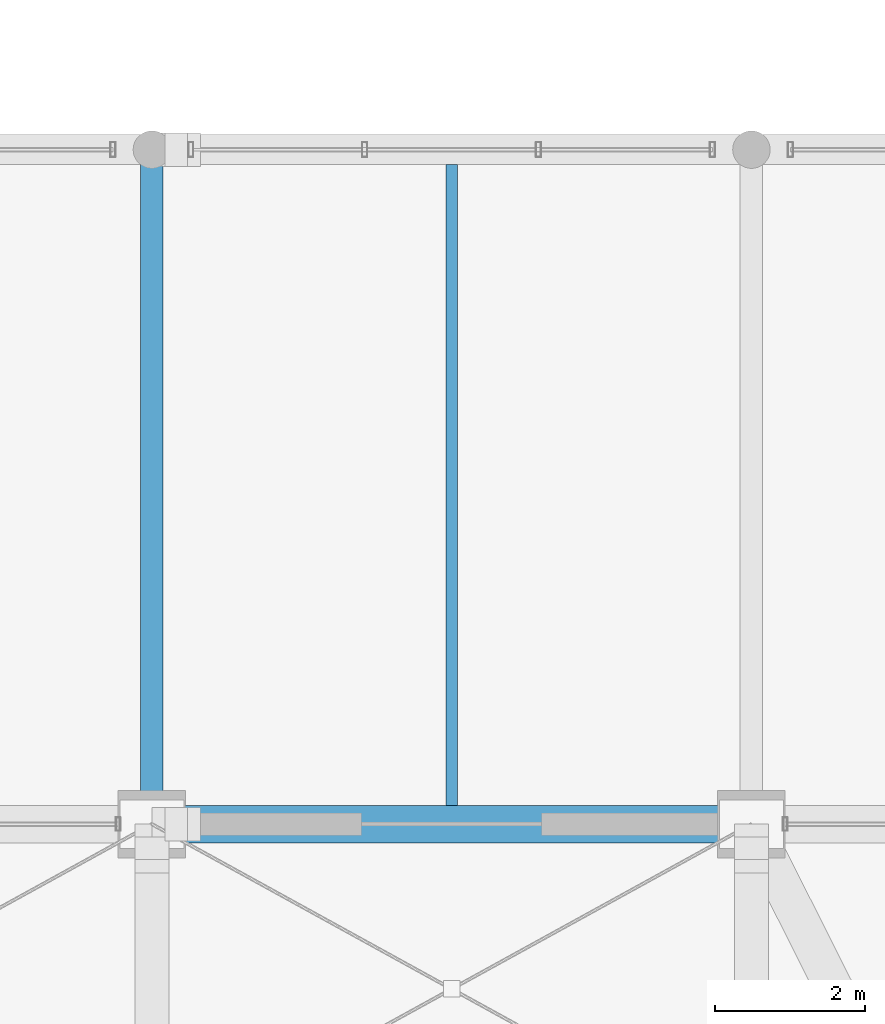
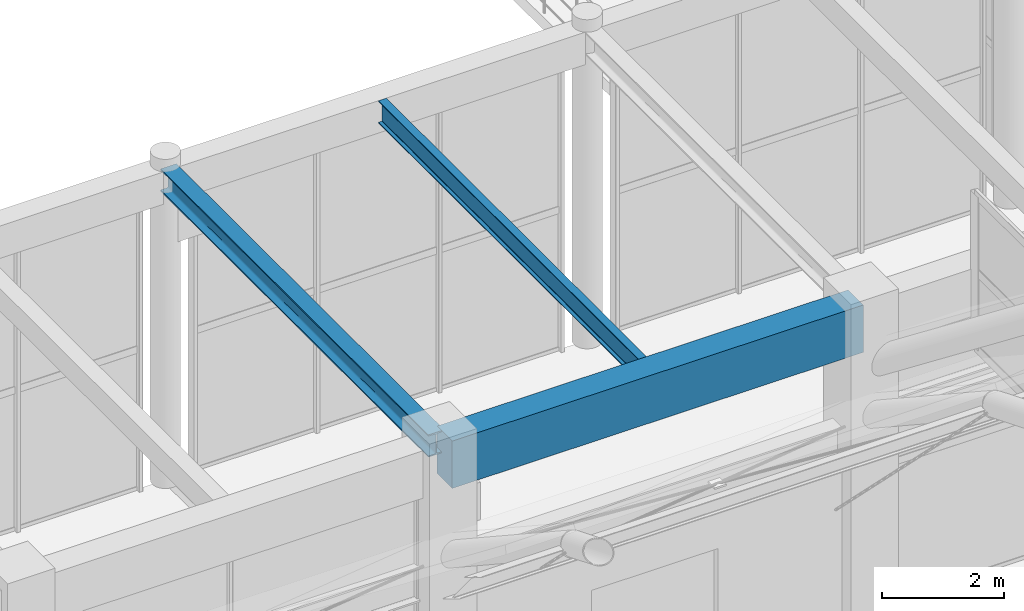
# One storey, part 68 of 163: 3 beams.
"""IFC4 building model written with IfcOpenShell, lengths in metres."""

import ifcopenshell
import ifcopenshell.guid

model = None  # the IFC model being written
_history = None  # IfcOwnerHistory: only IFC2X3 demands one
_inside = {}  # id of a spatial element -> (the spatial element, [elements in it])
_under = {}  # id of a project, library or spatial element -> (it, [spatial elements below it])
_declared = {}  # id of a project -> (the project, [libraries it declares])
_typed = {}  # id of a type object -> (the type object, [elements of that type])
_made_of = {}  # id of a material, layer set ... -> (it, [elements and type objects made of it])


def new_model(schema):
    """Start an empty IFC model of exactly this schema.

    Asked for "IFC4X3", IfcOpenShell would pick the latest addendum, in which some entities
    have other attributes; the version numbers below select the first issue.
    IFC2X3 requires an IfcOwnerHistory on every rooted entity: one is made here for all.
    """
    global model, _history
    if schema == "IFC4X3":
        model = ifcopenshell.file(schema_version=(4, 3, 0, 0))
    else:
        model = ifcopenshell.file(schema=schema)
    _inside.clear()
    _under.clear()
    _declared.clear()
    _typed.clear()
    _made_of.clear()
    _history = None
    if model.schema == "IFC2X3":
        org = make("IfcOrganization", Name="unknown")
        user = make(
            "IfcPersonAndOrganization",
            ThePerson=make("IfcPerson", FamilyName="unknown"),
            TheOrganization=org,
        )
        app = make(
            "IfcApplication",
            ApplicationDeveloper=org,
            Version="unknown",
            ApplicationFullName="unknown",
            ApplicationIdentifier="unknown",
        )
        _history = make(
            "IfcOwnerHistory",
            OwningUser=user,
            OwningApplication=app,
            ChangeAction="ADDED",
            CreationDate=0,
        )
    return model


def make(cls, **values):
    """One entity of the class cls with the attributes given. An attribute that is None is left unset."""
    return model.create_entity(
        cls, **{name: value for name, value in values.items() if value is not None}
    )


def rooted(cls, **values):
    """An entity with a GlobalId (a new one), such as an element, a storey or a relation."""
    return make(cls, GlobalId=ifcopenshell.guid.new(), OwnerHistory=_history, **values)


def si_unit(unit_type, name, prefix=None):
    """IfcSIUnit, for example si_unit("LENGTHUNIT", "METRE", prefix="MILLI")."""
    return make("IfcSIUnit", UnitType=unit_type, Prefix=prefix, Name=name)


def assignment(units):
    """IfcUnitAssignment: the units of a project."""
    return None if units is None else make("IfcUnitAssignment", Units=units)


def point(xyz):
    """IfcCartesianPoint."""
    return None if xyz is None else make("IfcCartesianPoint", Coordinates=xyz)


def direction(xyz):
    """IfcDirection."""
    return None if xyz is None else make("IfcDirection", DirectionRatios=xyz)


def frame(location, z_axis=None, x_axis=None):
    """IfcAxis2Placement3D, a coordinate frame: its origin and axes. An axis left out is left unset."""
    return make(
        "IfcAxis2Placement3D",
        Location=point(location),
        Axis=direction(z_axis),
        RefDirection=direction(x_axis),
    )


def frame_2d(location, x_axis=None):
    """IfcAxis2Placement2D, a coordinate frame in the plane: its origin and x axis."""
    return make(
        "IfcAxis2Placement2D", Location=point(location), RefDirection=direction(x_axis)
    )


def origin():
    """The frame at (0, 0, 0) with its axes left unset."""
    return frame((0.0, 0.0, 0.0))


def origin_2d():
    """The frame at (0, 0) in the plane with its x axis left unset."""
    return frame_2d((0.0, 0.0))


def place(relative_to, where):
    """IfcLocalPlacement: puts the frame where relative to a parent placement (None: the world)."""
    return make(
        "IfcLocalPlacement", PlacementRelTo=relative_to, RelativePlacement=where
    )


def context(
    kind, dimensions, precision=None, world=None, true_north=None, identifier=None
):
    """IfcGeometricRepresentationContext, for example the 3D "Model" context."""
    return make(
        "IfcGeometricRepresentationContext",
        ContextIdentifier=identifier,
        ContextType=kind,
        CoordinateSpaceDimension=dimensions,
        Precision=precision,
        WorldCoordinateSystem=world,
        TrueNorth=true_north,
    )


def subcontext(parent, identifier, kind, view, scale=None):
    """IfcGeometricRepresentationSubContext, for example "Body" below "Model"."""
    return make(
        "IfcGeometricRepresentationSubContext",
        ContextIdentifier=identifier,
        ContextType=kind,
        ParentContext=parent,
        TargetScale=scale,
        TargetView=view,
    )


def project(units=None, contexts=None):
    """IfcProject with its units and contexts."""
    return rooted(
        "IfcProject",
        Name="project",
        RepresentationContexts=contexts,
        UnitsInContext=assignment(units),
    )


def spatial(cls, under=None, at=None, **own):
    """A site, building, storey or space (cls), placed at a placement, below another one or the project."""
    s = rooted(cls, ObjectPlacement=at, **own)
    if under is not None:
        _under.setdefault(under.id(), (under, []))[1].append(s)
    return s


def profile(cls, at=None, kind="AREA", **sizes):
    """A parametric profile (cls). Its sizes go by their IFC names, for example OverallWidth=200.0."""
    return make(cls, ProfileType=kind, Position=at, **sizes)


def rectangle(**sizes):
    """IfcRectangleProfileDef."""
    return profile("IfcRectangleProfileDef", **sizes)


def i_section(**sizes):
    """IfcIShapeProfileDef."""
    return profile("IfcIShapeProfileDef", **sizes)


def extrude(swept, where, along, depth):
    """IfcExtrudedAreaSolid: the profile swept, set in the frame where, extruded along a direction by depth."""
    return make(
        "IfcExtrudedAreaSolid",
        SweptArea=swept,
        Position=where,
        ExtrudedDirection=direction(along),
        Depth=depth,
    )


def shape(context_of_items, identifier, shape_type, items):
    """IfcShapeRepresentation: the items that make up one representation, for example the "Body"."""
    return make(
        "IfcShapeRepresentation",
        ContextOfItems=context_of_items,
        RepresentationIdentifier=identifier,
        RepresentationType=shape_type,
        Items=items,
    )


def material(Name=None, Category=None):
    """IfcMaterial."""
    return make("IfcMaterial", Name=Name, Category=Category)


def material_profile(
    of_material, cross_section, Name=None, Category=None, Priority=None
):
    """IfcMaterialProfile: a cross section and its material."""
    return make(
        "IfcMaterialProfile",
        Name=Name,
        Material=of_material,
        Profile=cross_section,
        Priority=Priority,
        Category=Category,
    )


def profile_set(profiles, Name=None, composite=None):
    """IfcMaterialProfileSet."""
    return make(
        "IfcMaterialProfileSet",
        Name=Name,
        MaterialProfiles=profiles,
        CompositeProfile=composite,
    )


def made_of(thing, what):
    """Note that an element or type object is made of a material, layer set ...; save() writes the relation."""
    if what is not None:
        _made_of.setdefault(what.id(), (what, []))[1].append(thing)
    return thing


def type_object(cls, material=None, **own):
    """A type object (cls), such as IfcWallType, which elements share."""
    return made_of(rooted(cls, **own), material)


def element(
    cls,
    number,
    at=None,
    inside=None,
    cuts=None,
    type_object=None,
    material=None,
    context=None,
    identifier="Body",
    shape_type=None,
    held_by="IfcProductDefinitionShape",
    body=None,
    shapes=None,
    **own,
):
    """One element of the class cls, such as IfcWall. Its Tag is "e" and its number.

    at: its placement. inside: the storey or other place that contains it. cuts: it is an
    opening in that element (IfcRelVoidsElement). A single representation is given by context,
    identifier, shape_type and body (its items); several are given by shapes. held_by: the class
    of the entity that holds the representations. save() writes the other relations.
    """
    e = rooted(cls, Tag="e%d" % number, ObjectPlacement=at, **own)
    if body is not None:
        shapes = [shape(context, identifier, shape_type, body)]
    if shapes is not None:
        e.Representation = make(held_by, Representations=shapes)
    if inside is not None:
        _inside.setdefault(inside.id(), (inside, []))[1].append(e)
    if cuts is not None:
        rooted(
            "IfcRelVoidsElement", RelatingBuildingElement=cuts, RelatedOpeningElement=e
        )
    if type_object is not None:
        _typed.setdefault(type_object.id(), (type_object, []))[1].append(e)
    return made_of(e, material)


def aggregate(whole, parts):
    """IfcRelAggregates: a whole, such as a stair, and the parts it consists of."""
    return rooted("IfcRelAggregates", RelatingObject=whole, RelatedObjects=parts)


def save(model, path):
    """Write the relations noted so far, then the file.

    IfcRelAggregates (storeys below a building ...), IfcRelContainedInSpatialStructure (elements
    in a storey), IfcRelDefinesByType, IfcRelAssociatesMaterial and IfcRelDeclares: one each for
    every whole, place, type object, material and project.
    """
    for whole, parts in _under.values():
        aggregate(whole, parts)
    for where, things in _inside.values():
        rooted(
            "IfcRelContainedInSpatialStructure",
            RelatedElements=things,
            RelatingStructure=where,
        )
    for kind, things in _typed.values():
        rooted("IfcRelDefinesByType", RelatedObjects=things, RelatingType=kind)
    for what, things in _made_of.values():
        rooted("IfcRelAssociatesMaterial", RelatedObjects=things, RelatingMaterial=what)
    for by, libraries in _declared.values():
        rooted("IfcRelDeclares", RelatingContext=by, RelatedDefinitions=libraries)
    model.write(path)


model = new_model("IFC4")

# Units and contexts
model_context = context("Model", 3, precision=1e-05, world=origin(), true_north=direction((0.0, 1.0)))
body_context = subcontext(model_context, "Body", "Model", "MODEL_VIEW")
ifc_project = project(units=[si_unit("LENGTHUNIT", "METRE"), si_unit("AREAUNIT", "SQUARE_METRE"), si_unit("VOLUMEUNIT", "CUBIC_METRE"), si_unit("PLANEANGLEUNIT", "RADIAN"), si_unit("MASSUNIT", "GRAM", prefix="KILO")], contexts=[model_context])

# Site, building, storey
site_placement = place(None, origin())
site = spatial("IfcSite", under=ifc_project, at=site_placement, CompositionType="ELEMENT")
building_placement = place(site_placement, origin())
building = spatial("IfcBuilding", under=site, at=building_placement, Name="Varnabhumi Central Station", CompositionType="ELEMENT")
storey_placement = place(building_placement, frame((0.0, 0.0, 9.60009765625)))
storey = spatial("IfcBuildingStorey", under=building, at=storey_placement, Name="L02", CompositionType="ELEMENT", Elevation=9.60009765625)

# Beams
ifc_material_1 = material(Name="Structural steel E350", Category="steel")
ifc_material_profile_1 = material_profile(ifc_material_1, i_section(OverallWidth=0.14990234375, OverallDepth=0.449951171875, WebThickness=0.009521484375, FlangeThickness=0.017333984375, FilletRadius=0.014892578125, at=origin_2d()), Name="Structural steel E350", Category="steel")
ifc_profile_set_1 = profile_set([ifc_material_profile_1], Name="Structural steel E350")
beam_type_1 = type_object("IfcBeamType", Name="BM-JST-ISMB450", PredefinedType="JOIST", material=ifc_profile_set_1)
beam_1_placement = place(storey_placement, frame((68.0, 80.25, 6.125), z_axis=(0.0, 1.0, 0.0), x_axis=(-1.0, 0.0, 0.0)))
element("IfcBeam", 1, at=beam_1_placement, inside=storey, type_object=beam_type_1, Name="Secondary Joist L02-9/10:K-L", PredefinedType="JOIST", context=body_context, shape_type="SweptSolid", body=[
    extrude(i_section(OverallWidth=0.14990234375, OverallDepth=0.449951171875, WebThickness=0.009521484375, FlangeThickness=0.017333984375, FilletRadius=0.014892578125, at=origin_2d()), origin(), (0.0, 0.0, 1.0), 8.550048828125),
])
ifc_material_2 = material(Name="Concrete M40", Category="concrete")
ifc_material_profile_2 = material_profile(ifc_material_2, rectangle(XDim=0.5, YDim=0.949951171875, at=origin_2d()), Name="Concrete M40", Category="concrete")
ifc_profile_set_2 = profile_set([ifc_material_profile_2], Name="Concrete M40")
beam_type_2 = type_object("IfcBeamType", Name="BM-RC-950x500", PredefinedType="BEAM", material=ifc_profile_set_2)
beam_2_placement = place(storey_placement, frame((64.10009765625, 80.0, 5.875), z_axis=(1.0, 0.0, 0.0), x_axis=(0.0, 1.0, 0.0)))
element("IfcBeam", 2, at=beam_2_placement, inside=storey, type_object=beam_type_2, Name="Beam L02-K:9-10", PredefinedType="BEAM", context=body_context, shape_type="SweptSolid", body=[
    extrude(rectangle(XDim=0.5, YDim=0.949951171875, at=origin_2d()), origin(), (0.0, 0.0, 1.0), 7.7998046875),
])
ifc_material_profile_3 = material_profile(ifc_material_1, i_section(OverallWidth=0.300048828125, OverallDepth=0.449951171875, WebThickness=0.013916015625, FlangeThickness=0.02587890625, FilletRadius=0.027099609375, at=origin_2d()), Name="Structural steel E350", Category="steel")
ifc_profile_set_3 = profile_set([ifc_material_profile_3], Name="Structural steel E350")
beam_type_3 = type_object("IfcBeamType", Name="BM-STL-WPB450", PredefinedType="BEAM", material=ifc_profile_set_3)
beam_3_placement = place(storey_placement, frame((64.0, 80.10009765625, 6.125), z_axis=(0.0, 1.0, 0.0), x_axis=(-1.0, 0.0, 0.0)))
element("IfcBeam", 3, at=beam_3_placement, inside=storey, type_object=beam_type_3, Name="Beam L02-9:K-L", PredefinedType="BEAM", context=body_context, shape_type="SweptSolid", body=[
    extrude(i_section(OverallWidth=0.300048828125, OverallDepth=0.449951171875, WebThickness=0.013916015625, FlangeThickness=0.02587890625, FilletRadius=0.027099609375, at=origin_2d()), origin(), (0.0, 0.0, 1.0), 8.7998046875),
])

save(model, "model.ifc")
